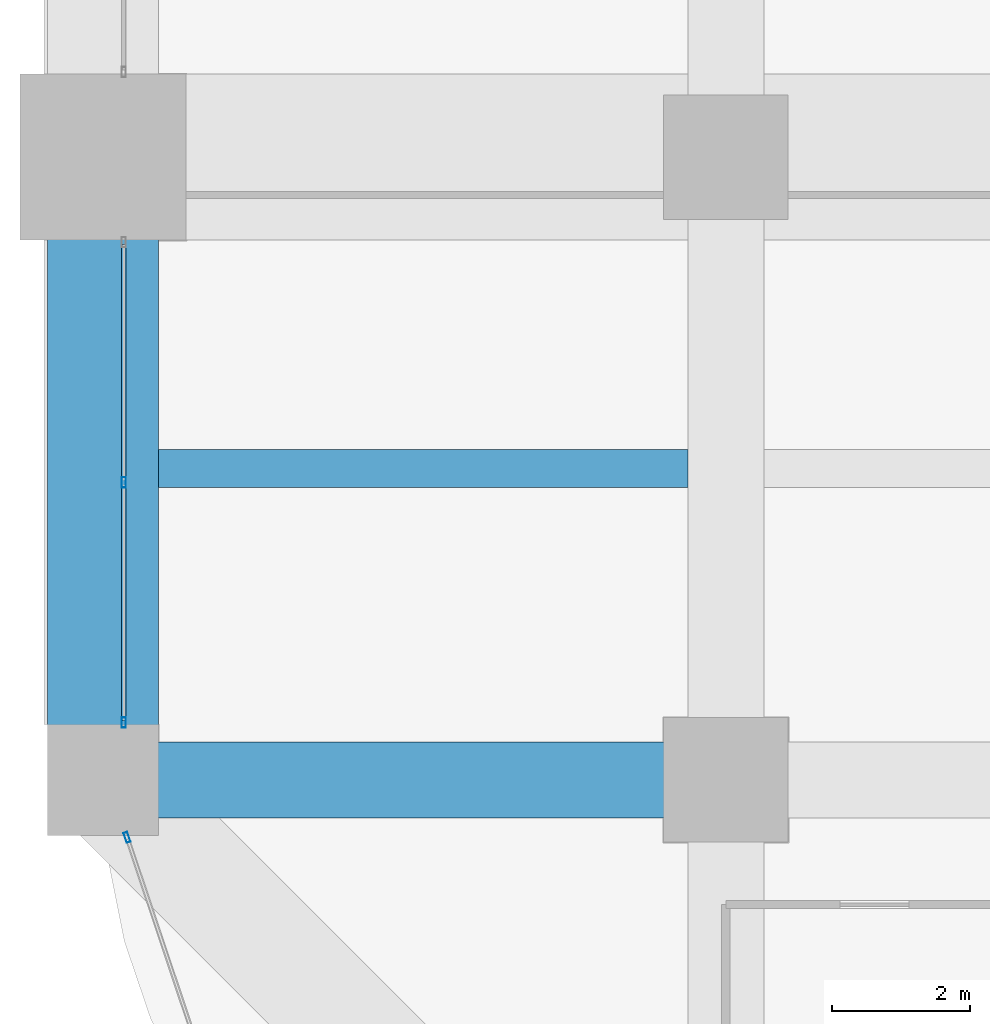
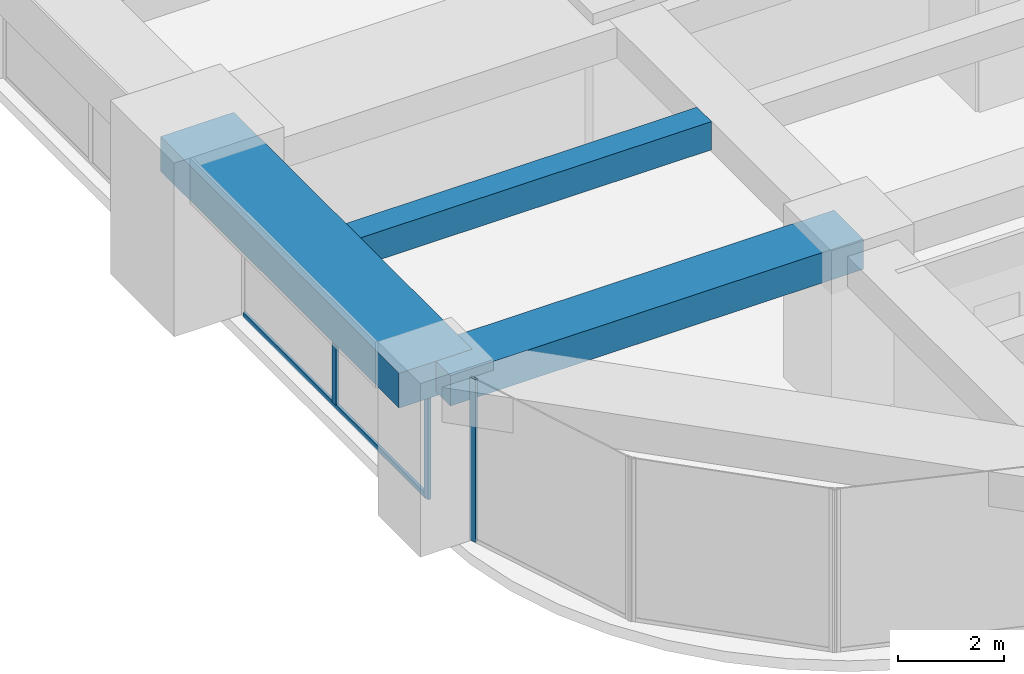
# One storey, part 4 of 42: 4 members, 3 beams, 2 elements without a shape of their own.
"""IFC4 building model written with IfcOpenShell, lengths in metres."""

from ifc_helpers import new_model, si_unit, direction, frame, origin, origin_2d, place, context, subcontext, project, spatial, rectangle, hollow_rectangle, extrude, material, material_profile, profile_set, type_object, element, aggregate, save


model = new_model("IFC4")

# Units and contexts
model_context = context("Model", 3, precision=1e-05, world=origin(), true_north=direction((0.0, 1.0)))
body_context = subcontext(model_context, "Body", "Model", "MODEL_VIEW")
ifc_project = project(units=[si_unit("LENGTHUNIT", "METRE"), si_unit("AREAUNIT", "SQUARE_METRE"), si_unit("VOLUMEUNIT", "CUBIC_METRE"), si_unit("PLANEANGLEUNIT", "RADIAN"), si_unit("MASSUNIT", "GRAM", prefix="KILO")], contexts=[model_context])

# Site, building, storey
site_placement = place(None, origin())
site = spatial("IfcSite", under=ifc_project, at=site_placement, CompositionType="ELEMENT")
building_placement = place(site_placement, origin())
building = spatial("IfcBuilding", under=site, at=building_placement, Name="Zorevar Civic Tower", CompositionType="ELEMENT")
storey_placement = place(building_placement, frame((0.0, 0.0, 149.0)))
storey = spatial("IfcBuildingStorey", under=building, at=storey_placement, Name="L36", CompositionType="ELEMENT", Elevation=149.0)

# Beams
ifc_material_1 = material(Name="Concrete C50/60", Category="concrete")
ifc_material_profile_1 = material_profile(ifc_material_1, rectangle(XDim=1.10009765625, YDim=0.699951171875, at=origin_2d()), Name="RC 1100x700")
ifc_profile_set_1 = profile_set([ifc_material_profile_1], Name="Concrete C50/60")
beam_type_1 = type_object("IfcBeamType", Name="Beam RC 1100x700", PredefinedType="BEAM", material=ifc_profile_set_1)
beam_1_placement = place(storey_placement, frame((0.0, 9.0, 3.39990234375), z_axis=(1.0, 0.0, 0.0), x_axis=(0.0, 1.0, 0.0)))
element("IfcBeam", 1, at=beam_1_placement, inside=storey, type_object=beam_type_1, Name="Girder L37", PredefinedType="BEAM", context=body_context, shape_type="SweptSolid", body=[
    extrude(rectangle(XDim=1.10009765625, YDim=0.699951171875, at=origin_2d()), origin(), (0.0, 0.0, 1.0), 9.0),
])
ifc_material_2 = material(Name="Concrete C50/60", Category="concrete")
ifc_material_profile_2 = material_profile(ifc_material_2, rectangle(XDim=0.550048828125, YDim=0.64990234375, at=origin_2d()), Name="RC 550x650")
ifc_profile_set_2 = profile_set([ifc_material_profile_2], Name="Concrete C50/60")
beam_type_2 = type_object("IfcBeamType", Name="Beam RC 550x650", PredefinedType="BEAM", material=ifc_profile_set_2)
beam_2_placement = place(storey_placement, frame((0.800048828125, 13.5, 3.425048828125), z_axis=(1.0, 0.0, 0.0), x_axis=(0.0, 1.0, 0.0)))
element("IfcBeam", 2, at=beam_2_placement, inside=storey, type_object=beam_type_2, Name="Secondary beam L37", PredefinedType="BEAM", context=body_context, shape_type="SweptSolid", body=[
    extrude(rectangle(XDim=0.550048828125, YDim=0.64990234375, at=origin_2d()), origin(), (0.0, 0.0, 1.0), 7.64990234375),
])

# Curtain wall, members
ifc_material_3 = material(Name="Dark grey solar-control glass in black aluminium frame", Category="aluminium")
curtain_wall_type = type_object("IfcCurtainWallType", Name="Curtain wall CW3 mid zone", PredefinedType="NOTDEFINED", material=ifc_material_3)
curtain_wall_1_placement = place(storey_placement, origin())
curtain_wall_1 = element("IfcCurtainWall", 3, at=curtain_wall_1_placement, inside=storey, type_object=curtain_wall_type, Name="CW3 L36", PredefinedType="NOTDEFINED")
ifc_material_4 = material(Name="Aluminium, black anodised", Category="aluminium")
ifc_material_profile_3 = material_profile(ifc_material_4, hollow_rectangle(XDim=0.06005859375, YDim=0.14990234375, WallThickness=0.00390625, at=origin_2d()), Name="AL 150x60x4")
ifc_profile_set_3 = profile_set([ifc_material_profile_3], Name="Aluminium, black anodised")
member_type_1 = type_object("IfcMemberType", Name="CW3 mullion AL 150x60x4", PredefinedType="MULLION", material=ifc_profile_set_3)
member_1_placement = place(storey_placement, frame((0.300048828125, 9.830078125, 0.0), z_axis=(0.0, 0.0, 1.0), x_axis=(-1.0, 0.0, 0.0)))
member_1 = element("IfcMember", 4, at=member_1_placement, type_object=member_type_1, Name="CW3 mullion 1", PredefinedType="MULLION", context=body_context, shape_type="SweptSolid", body=[
    extrude(hollow_rectangle(XDim=0.06005859375, YDim=0.14990234375, WallThickness=0.00390625, at=origin_2d()), origin(), (0.0, 0.0, 1.0), 2.949951171875),
])
member_2_placement = place(storey_placement, frame((0.300048828125, 13.300048828125, 0.06005859375), z_axis=(0.0, 0.0, 1.0), x_axis=(-1.0, 0.0, 0.0)))
member_2 = element("IfcMember", 5, at=member_2_placement, type_object=member_type_1, Name="CW3 mullion 2", PredefinedType="MULLION", context=body_context, shape_type="SweptSolid", body=[
    extrude(hollow_rectangle(XDim=0.06005859375, YDim=0.14990234375, WallThickness=0.00390625, at=origin_2d()), origin(), (0.0, 0.0, 1.0), 2.889892578125),
])

# Curtain wall, member
curtain_wall_2_placement = place(storey_placement, origin())
curtain_wall_2 = element("IfcCurtainWall", 6, at=curtain_wall_2_placement, inside=storey, type_object=curtain_wall_type, Name="CW3 L36", PredefinedType="NOTDEFINED")
member_3_placement = place(storey_placement, frame((0.346435546875, 8.171630859375, 0.0), z_axis=(0.0, 0.0, 1.0), x_axis=(0.948227238701, 0.317592669603, 0.0)))
member_3 = element("IfcMember", 7, at=member_3_placement, type_object=member_type_1, Name="CW3 mullion 1", PredefinedType="MULLION", context=body_context, shape_type="SweptSolid", body=[
    extrude(hollow_rectangle(XDim=0.06005859375, YDim=0.14990234375, WallThickness=0.00390625, at=origin_2d()), origin(), (0.0, 0.0, 1.0), 3.75),
])
aggregate(curtain_wall_2, [member_3])

# Member
ifc_material_5 = material(Name="Aluminium, black anodised", Category="aluminium")
ifc_material_profile_4 = material_profile(ifc_material_5, hollow_rectangle(XDim=0.06005859375, YDim=0.1201171875, WallThickness=0.0029296875, at=origin_2d()), Name="AL 120x60x3")
ifc_profile_set_4 = profile_set([ifc_material_profile_4], Name="Aluminium, black anodised")
member_type_2 = type_object("IfcMemberType", Name="CW3 transom AL 120x60x3", PredefinedType="USERDEFINED", material=ifc_profile_set_4)
member_4_placement = place(storey_placement, frame((0.300048828125, 9.860107421875, 0.030029296875), z_axis=(0.0, 1.0, 0.0), x_axis=(-1.0, 0.0, 0.0)))
member_4 = element("IfcMember", 8, at=member_4_placement, type_object=member_type_2, Name="CW3 sill transom", ObjectType="TRANSOM", PredefinedType="USERDEFINED", context=body_context, shape_type="SweptSolid", body=[
    extrude(hollow_rectangle(XDim=0.06005859375, YDim=0.1201171875, WallThickness=0.0029296875, at=origin_2d()), origin(), (0.0, 0.0, 1.0), 6.8798828125),
])

aggregate(curtain_wall_1, [member_1, member_2, member_4])

# Beam
ifc_material_6 = material(Name="Concrete C50/60", Category="concrete")
ifc_material_profile_5 = material_profile(ifc_material_6, rectangle(XDim=1.60009765625, YDim=0.800048828125, at=origin_2d()), Name="RC 1600x800")
ifc_profile_set_5 = profile_set([ifc_material_profile_5], Name="Concrete C50/60")
beam_type_3 = type_object("IfcBeamType", Name="Edge beam RC 1600x800", PredefinedType="SPANDREL", material=ifc_profile_set_5)
beam_3_placement = place(storey_placement, frame((0.0, 9.0, 3.35009765625), z_axis=(0.0, 1.0, 0.0), x_axis=(-1.0, 0.0, 0.0)))
element("IfcBeam", 9, at=beam_3_placement, inside=storey, type_object=beam_type_3, Name="Edge beam L37", PredefinedType="SPANDREL", context=body_context, shape_type="SweptSolid", body=[
    extrude(rectangle(XDim=1.60009765625, YDim=0.800048828125, at=origin_2d()), origin(), (0.0, 0.0, 1.0), 9.0),
])

save(model, "model.ifc")
